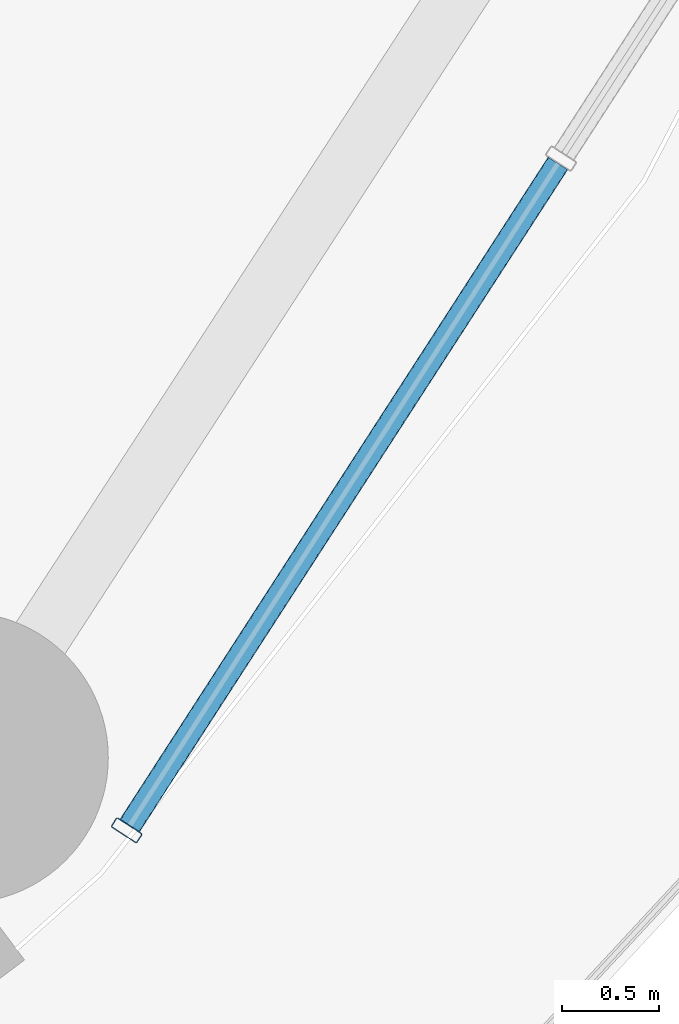
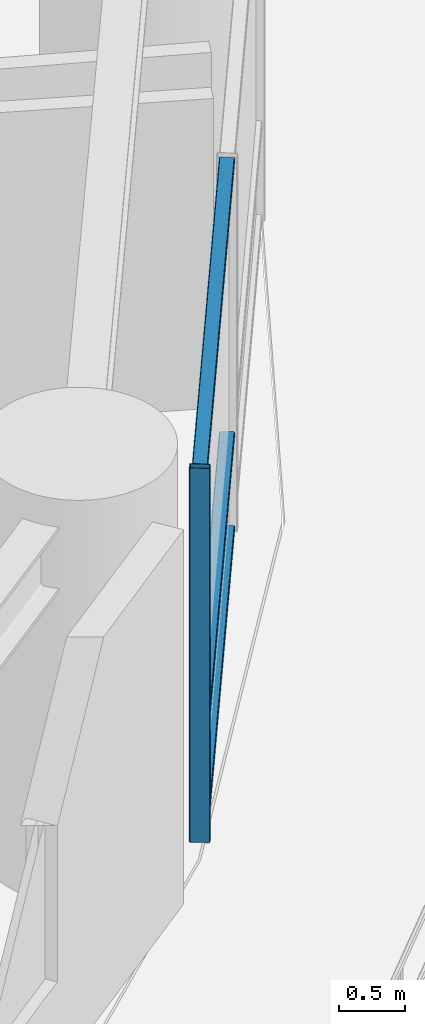
# One storey, part 10 of 33: 4 members, 1 element without a shape of its own.
"""IFC4 building model written with IfcOpenShell, lengths in metres."""

from ifc_helpers import new_model, si_unit, direction, frame, origin, origin_2d, place, context, subcontext, project, spatial, hollow_rectangle, extrude, material, layer, layer_set, material_profile, profile_set, type_object, element, aggregate, save


model = new_model("IFC4")

# Units and contexts
model_context = context("Model", 3, precision=1e-05, world=origin(), true_north=direction((0.0, 1.0)))
body_context = subcontext(model_context, "Body", "Model", "MODEL_VIEW")
ifc_project = project(units=[si_unit("LENGTHUNIT", "METRE"), si_unit("AREAUNIT", "SQUARE_METRE"), si_unit("VOLUMEUNIT", "CUBIC_METRE"), si_unit("PLANEANGLEUNIT", "RADIAN"), si_unit("MASSUNIT", "GRAM", prefix="KILO")], contexts=[model_context])

# Site, building, storey
site_placement = place(None, origin())
site = spatial("IfcSite", under=ifc_project, at=site_placement, CompositionType="ELEMENT")
building_placement = place(site_placement, origin())
building = spatial("IfcBuilding", under=site, at=building_placement, Name="Kelanora Arch Commons", CompositionType="ELEMENT")
storey_placement = place(building_placement, frame((0.0, 0.0, 26.25)))
storey = spatial("IfcBuildingStorey", under=building, at=storey_placement, Name="L06", CompositionType="ELEMENT", Elevation=26.25)

# Curtain wall, members
ifc_material_1 = material(Name="Terracotta ceramic-fritted low-E glass and aluminium", Category="masonry")
ifc_layer = layer(ifc_material_1, 0.159912109375)
ifc_layer_set = layer_set([ifc_layer], Name="Terracotta ceramic-fritted low-E glass and aluminium")
curtain_wall_type = type_object("IfcCurtainWallType", Name="CW-SYS-01", PredefinedType="NOTDEFINED", material=ifc_layer_set)
curtain_wall_placement = place(storey_placement, origin())
curtain_wall = element("IfcCurtainWall", 1, at=curtain_wall_placement, inside=storey, type_object=curtain_wall_type, Name="Unitised Curtain Wall L06-B16", PredefinedType="NOTDEFINED")
ifc_material_2 = material(Name="Powder-coated aluminium terracotta", Category="masonry")
ifc_material_profile_1 = material_profile(ifc_material_2, hollow_rectangle(XDim=0.159912109375, YDim=0.06005859375, WallThickness=0.0048828125, InnerFilletRadius=0.0048828125, OuterFilletRadius=0.010009765625, at=origin_2d()), Name="CWM160x60")
ifc_profile_set_1 = profile_set([ifc_material_profile_1], Name="Powder-coated aluminium terracotta")
member_type_1 = type_object("IfcMemberType", Name="CWM-STD", PredefinedType="MULLION", material=ifc_profile_set_1)
member_1_placement = place(storey_placement, frame((95.58935546875, 42.14697265625, 0.0), z_axis=(0.0, 0.0, 1.0), x_axis=(-0.83972982332, 0.543004441812, 0.0)))
member_1 = element("IfcMember", 2, at=member_1_placement, type_object=member_type_1, Name="CW-01 mullion 1", PredefinedType="MULLION", context=body_context, shape_type="SweptSolid", body=[
    extrude(hollow_rectangle(XDim=0.159912109375, YDim=0.06005859375, WallThickness=0.0048828125, InnerFilletRadius=0.0048828125, OuterFilletRadius=0.010009765625, at=origin_2d()), origin(), (0.0, 0.0, 1.0), 3.47509765625),
])
ifc_material_profile_2 = material_profile(ifc_material_2, hollow_rectangle(XDim=0.1201171875, YDim=0.06005859375, WallThickness=0.0048828125, InnerFilletRadius=0.0048828125, OuterFilletRadius=0.010009765625, at=origin_2d()), Name="CWT120x60")
ifc_profile_set_2 = profile_set([ifc_material_profile_2], Name="Powder-coated aluminium terracotta")
member_type_2 = type_object("IfcMemberType", Name="CWT-STD", PredefinedType="USERDEFINED", material=ifc_profile_set_2)
member_2_placement = place(storey_placement, frame((95.605712890625, 42.17236328125, 0.030029296875), z_axis=(0.542997414293, 0.839734367566, 0.0), x_axis=(-0.839734367566, 0.542997414293, 0.0)))
member_2 = element("IfcMember", 3, at=member_2_placement, type_object=member_type_2, Name="CW-01 transom 1.1", ObjectType="TRANSOM", PredefinedType="USERDEFINED", context=body_context, shape_type="SweptSolid", body=[
    extrude(hollow_rectangle(XDim=0.1201171875, YDim=0.06005859375, WallThickness=0.0048828125, InnerFilletRadius=0.0048828125, OuterFilletRadius=0.010009765625, at=origin_2d()), origin(), (0.0, 0.0, 1.0), 4.067626953125),
])
member_3_placement = place(storey_placement, frame((95.605712890625, 42.17236328125, 0.89990234375), z_axis=(0.542997414293, 0.839734367566, 0.0), x_axis=(-0.839734367566, 0.542997414293, 0.0)))
member_3 = element("IfcMember", 4, at=member_3_placement, type_object=member_type_2, Name="CW-01 transom 1.2", ObjectType="TRANSOM", PredefinedType="USERDEFINED", context=body_context, shape_type="SweptSolid", body=[
    extrude(hollow_rectangle(XDim=0.1201171875, YDim=0.06005859375, WallThickness=0.0048828125, InnerFilletRadius=0.0048828125, OuterFilletRadius=0.010009765625, at=origin_2d()), origin(), (0.0, 0.0, 1.0), 4.067626953125),
])
member_4_placement = place(storey_placement, frame((95.605712890625, 42.17236328125, 3.445068359375), z_axis=(0.542997414293, 0.839734367566, 0.0), x_axis=(-0.839734367566, 0.542997414293, 0.0)))
member_4 = element("IfcMember", 5, at=member_4_placement, type_object=member_type_2, Name="CW-01 transom 1.3", ObjectType="TRANSOM", PredefinedType="USERDEFINED", context=body_context, shape_type="SweptSolid", body=[
    extrude(hollow_rectangle(XDim=0.1201171875, YDim=0.06005859375, WallThickness=0.0048828125, InnerFilletRadius=0.0048828125, OuterFilletRadius=0.010009765625, at=origin_2d()), origin(), (0.0, 0.0, 1.0), 4.067626953125),
])
aggregate(curtain_wall, [member_1, member_2, member_3, member_4])

save(model, "model.ifc")
